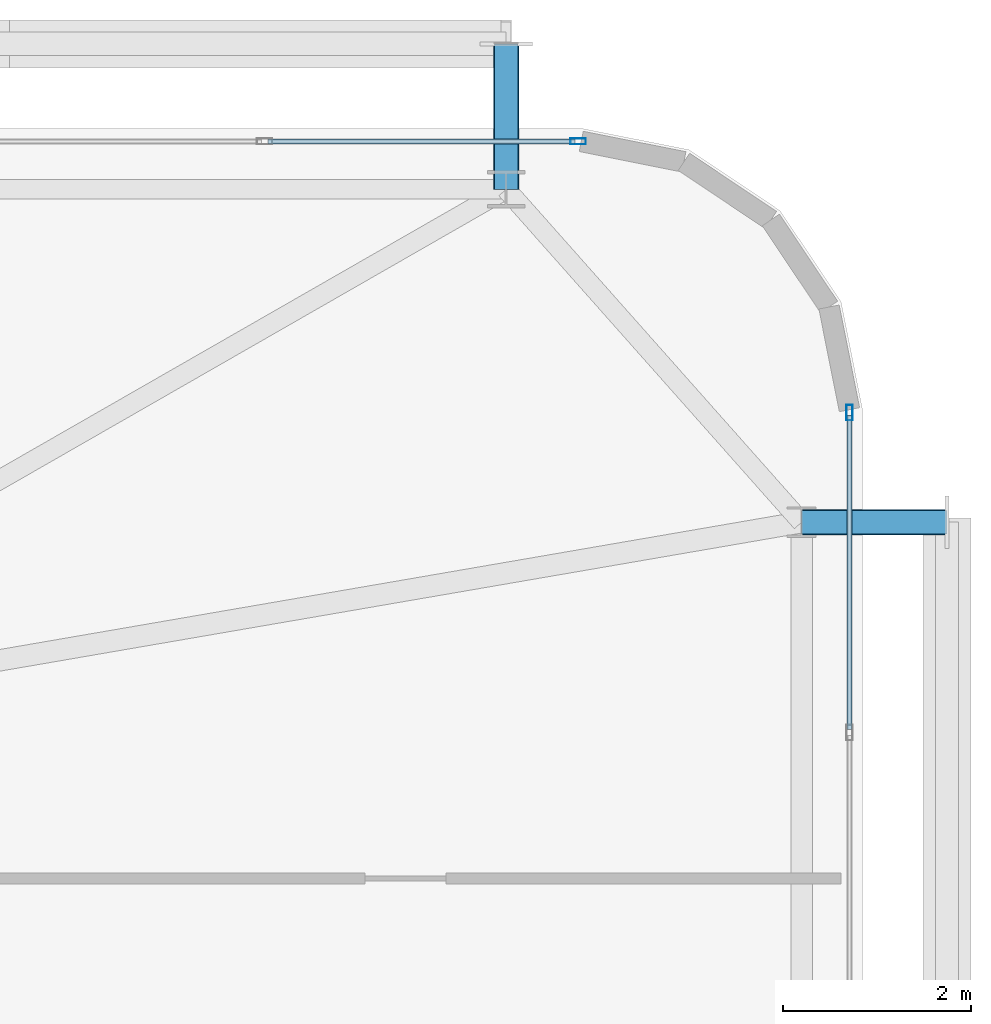
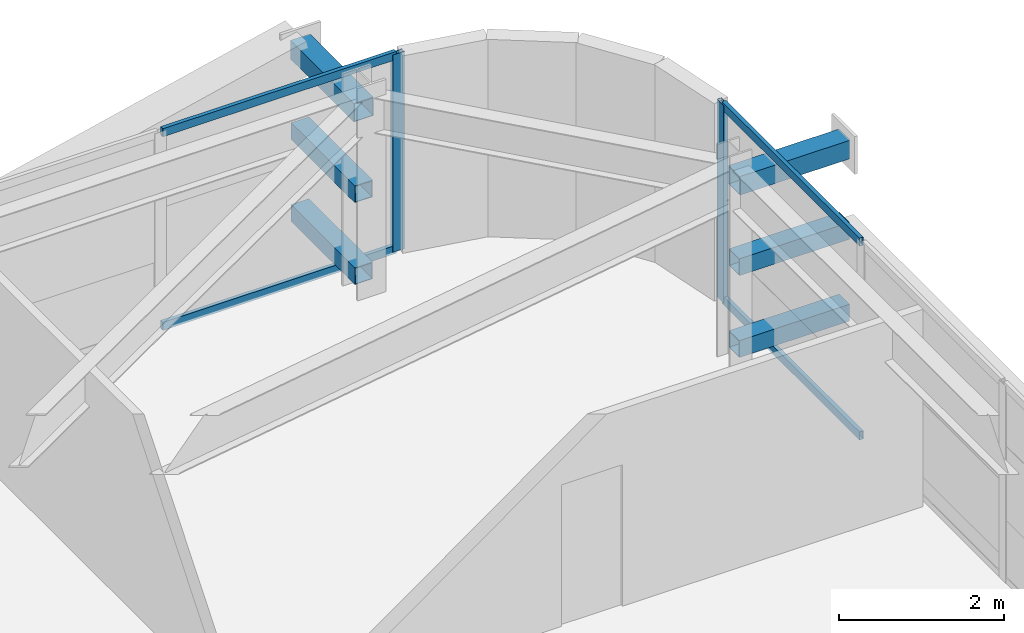
# One storey, part 41 of 58: 12 members, 2 elements without a shape of their own.
"""IFC4 building model written with IfcOpenShell, lengths in metres."""

from ifc_helpers import new_model, si_unit, direction, frame, origin, origin_2d, place, context, subcontext, project, spatial, hollow_rectangle, extrude, source, transform, mapped, material, layer, layer_set, material_profile, profile_set, type_object, element, aggregate, save


model = new_model("IFC4")

# Units and contexts
model_context = context("Model", 3, precision=1e-05, world=origin(), true_north=direction((0.0, 1.0)))
body_context = subcontext(model_context, "Body", "Model", "MODEL_VIEW")
ifc_project = project(units=[si_unit("LENGTHUNIT", "METRE"), si_unit("AREAUNIT", "SQUARE_METRE"), si_unit("VOLUMEUNIT", "CUBIC_METRE"), si_unit("PLANEANGLEUNIT", "RADIAN"), si_unit("MASSUNIT", "GRAM", prefix="KILO")], contexts=[model_context])

# Site, building, storey
site_placement = place(None, origin())
site = spatial("IfcSite", under=ifc_project, at=site_placement, CompositionType="ELEMENT")
building_placement = place(site_placement, origin())
building = spatial("IfcBuilding", under=site, at=building_placement, Name="Taldren Reach Tower", CompositionType="ELEMENT")
storey_placement = place(building_placement, frame((0.0, 0.0, 35.699951171875)))
storey = spatial("IfcBuildingStorey", under=building, at=storey_placement, Name="L10", CompositionType="ELEMENT", Elevation=35.699951171875)

# Members
ifc_material_1 = material(Name="Steel Gr 450 (C450L0)", Category="steel")
ifc_material_profile_1 = material_profile(ifc_material_1, hollow_rectangle(XDim=0.27490234375, YDim=0.27490234375, WallThickness=0.00927734375, at=origin_2d()), Name="275x275x9.3SHS")
ifc_profile_set_1 = profile_set([ifc_material_profile_1], Name="Steel Gr 450 (C450L0)")
member_type_1 = type_object("IfcMemberType", Name="MB-TIE273", PredefinedType="STRUT", material=ifc_profile_set_1)
shared_shape_1 = source(origin(), body_context, "Body", "SweptSolid", [
    extrude(hollow_rectangle(XDim=0.27490234375, YDim=0.27490234375, WallThickness=0.00927734375, at=origin_2d()), origin(), (0.0, 0.0, 1.0), 1.5498046875),
])
for number, where, z_axis, x_axis, name in (
    (1, (61.199951171875, 37.85009765625, 2.650146484375), (0.0, 1.0, 0.0), (-1.0, 0.0, 0.0), "Exoskeleton diaphragm tie strut B1-N6 L10"),
    (2, (64.35009765625, 34.300048828125, 2.650146484375), (1.0, 0.0, 0.0), (0.0, 1.0, 0.0), "Exoskeleton diaphragm tie strut B1-E3 L10"),
):
    element("IfcMember", number, at=place(storey_placement, frame(where, z_axis=z_axis, x_axis=x_axis)), inside=storey, type_object=member_type_1, Name=name, PredefinedType="STRUT", context=body_context, shape_type="MappedRepresentation", body=[
        mapped(shared_shape_1, transform((0.0, 0.0, 0.0), scale=1.0)),
    ])
ifc_material_2 = material(Name="Steel Gr 350 (C350L0)", Category="steel")
ifc_material_profile_2 = material_profile(ifc_material_2, hollow_rectangle(XDim=0.25, YDim=0.25, WallThickness=0.010009765625, at=origin_2d()), Name="250x250x10.0SHS")
ifc_profile_set_2 = profile_set([ifc_material_profile_2], Name="Steel Gr 350 (C350L0)")
member_type_2 = type_object("IfcMemberType", Name="MB-POST250", PredefinedType="POST", material=ifc_profile_set_2)
shared_shape_2 = source(origin(), body_context, "Body", "SweptSolid", [
    extrude(hollow_rectangle(XDim=0.25, YDim=0.25, WallThickness=0.010009765625, at=origin_2d()), origin(), (0.0, 0.0, 1.0), 1.5498046875),
])
for number, where, z_axis, x_axis, name in (
    (3, (61.199951171875, 37.85009765625, 0.219970703125), (0.0, 1.0, 0.0), (-1.0, 0.0, 0.0), "Exoskeleton base diaphragm tie strut B1-N6 L10"),
    (4, (64.35009765625, 34.300048828125, 0.219970703125), (1.0, 0.0, 0.0), (0.0, 1.0, 0.0), "Exoskeleton base diaphragm tie strut B1-E3 L10"),
    (5, (61.199951171875, 37.85009765625, 1.43505859375), (0.0, 1.0, 0.0), (-1.0, 0.0, 0.0), "Exoskeleton mid-tier diaphragm tie B1-N6 L10"),
    (6, (64.35009765625, 34.300048828125, 1.43505859375), (1.0, 0.0, 0.0), (0.0, 1.0, 0.0), "Exoskeleton mid-tier diaphragm tie B1-E3 L10"),
):
    element("IfcMember", number, at=place(storey_placement, frame(where, z_axis=z_axis, x_axis=x_axis)), inside=storey, type_object=member_type_2, Name=name, PredefinedType="POST", context=body_context, shape_type="MappedRepresentation", body=[
        mapped(shared_shape_2, transform((0.0, 0.0, 0.0), scale=1.0)),
    ])

# Curtain wall, member
ifc_material_3 = material(Name="Aluminium and Low-E Glass Unitised System", Category="aluminium")
ifc_layer = layer(ifc_material_3, 0.159912109375)
ifc_layer_set = layer_set([ifc_layer], Name="Aluminium and Low-E Glass Unitised System")
curtain_wall_type = type_object("IfcCurtainWallType", Name="CW-SYS-2", PredefinedType="NOTDEFINED", material=ifc_layer_set)
curtain_wall_1_placement = place(storey_placement, origin())
curtain_wall_1 = element("IfcCurtainWall", 7, at=curtain_wall_1_placement, inside=storey, type_object=curtain_wall_type, Name="Unitised curtain wall CW-L10-N", PredefinedType="NOTDEFINED")
ifc_material_4 = material(Name="Anodised Aluminium 6063-T6", Category="aluminium")
ifc_material_profile_3 = material_profile(ifc_material_4, hollow_rectangle(XDim=0.06494140625, YDim=0.1650390625, WallThickness=0.00390625, at=origin_2d()), Name="ALU-165x65x4RHS")
ifc_profile_set_3 = profile_set([ifc_material_profile_3], Name="Anodised Aluminium 6063-T6")
member_type_3 = type_object("IfcMemberType", Name="CW-MUL-165", PredefinedType="MULLION", material=ifc_profile_set_3)
shared_shape_3 = source(origin(), body_context, "Body", "SweptSolid", [
    extrude(hollow_rectangle(XDim=0.06494140625, YDim=0.1650390625, WallThickness=0.00390625, at=origin_2d()), origin(), (0.0, 0.0, 1.0), 2.929931640625),
])
member_1_placement = place(storey_placement, frame((61.967529296875, 38.360107421875, 0.0), z_axis=(0.0, 0.0, 1.0), x_axis=(0.0, -1.0, 0.0)))
member_1 = element("IfcMember", 8, at=member_1_placement, type_object=member_type_3, Name="CW-2 mullion 1", PredefinedType="MULLION", context=body_context, shape_type="MappedRepresentation", body=[
    mapped(shared_shape_3, transform((0.0, 0.0, 0.0), scale=1.0)),
])

curtain_wall_2_placement = place(storey_placement, origin())
curtain_wall_2 = element("IfcCurtainWall", 9, at=curtain_wall_2_placement, inside=storey, type_object=curtain_wall_type, Name="Unitised curtain wall CW-L10-E", PredefinedType="NOTDEFINED")
member_2_placement = place(storey_placement, frame((64.860107421875, 35.467529296875, 0.0), z_axis=(0.0, 0.0, 1.0), x_axis=(-1.0, 0.0, 0.0)))
member_2 = element("IfcMember", 10, at=member_2_placement, type_object=member_type_3, Name="CW-2 mullion 10", PredefinedType="MULLION", context=body_context, shape_type="MappedRepresentation", body=[
    mapped(shared_shape_3, transform((0.0, 0.0, 0.0), scale=1.0)),
])

# Member
ifc_material_profile_4 = material_profile(ifc_material_4, hollow_rectangle(XDim=0.054931640625, YDim=0.1201171875, WallThickness=0.0029296875, at=origin_2d()), Name="ALU-120x55x3RHS")
ifc_profile_set_4 = profile_set([ifc_material_profile_4], Name="Anodised Aluminium 6063-T6")
member_type_4 = type_object("IfcMemberType", Name="CW-TRN-135", PredefinedType="USERDEFINED", material=ifc_profile_set_4)
shared_shape_4 = source(origin(), body_context, "Body", "SweptSolid", [
    extrude(hollow_rectangle(XDim=0.054931640625, YDim=0.1201171875, WallThickness=0.0029296875, at=origin_2d()), origin(), (0.0, 0.0, 1.0), 3.277587890625),
])
member_3_placement = place(storey_placement, frame((61.93505859375, 38.360107421875, 0.027587890625), z_axis=(-1.0, 0.0, 0.0), x_axis=(0.0, -1.0, 0.0)))
member_3 = element("IfcMember", 11, at=member_3_placement, type_object=member_type_4, Name="CW-2 transom 1.1", ObjectType="TRANSOM", PredefinedType="USERDEFINED", context=body_context, shape_type="MappedRepresentation", body=[
    mapped(shared_shape_4, transform((0.0, 0.0, 0.0), scale=1.0)),
])

member_4_placement = place(storey_placement, frame((61.93505859375, 38.360107421875, 2.902587890625), z_axis=(-1.0, 0.0, 0.0), x_axis=(0.0, -1.0, 0.0)))
member_4 = element("IfcMember", 12, at=member_4_placement, type_object=member_type_4, Name="CW-2 transom 1.2", ObjectType="TRANSOM", PredefinedType="USERDEFINED", context=body_context, shape_type="MappedRepresentation", body=[
    mapped(shared_shape_4, transform((0.0, 0.0, 0.0), scale=1.0)),
])

aggregate(curtain_wall_1, [member_1, member_3, member_4])

shared_shape_5 = source(origin(), body_context, "Body", "SweptSolid", [
    extrude(hollow_rectangle(XDim=0.054931640625, YDim=0.1201171875, WallThickness=0.0029296875, at=origin_2d()), origin(), (0.0, 0.0, 1.0), 3.346923828125),
])
member_5_placement = place(storey_placement, frame((64.860107421875, 32.088134765625, 0.027587890625), z_axis=(0.0, 1.0, 0.0), x_axis=(-1.0, 0.0, 0.0)))
member_5 = element("IfcMember", 13, at=member_5_placement, type_object=member_type_4, Name="CW-2 transom 9.1", ObjectType="TRANSOM", PredefinedType="USERDEFINED", context=body_context, shape_type="MappedRepresentation", body=[
    mapped(shared_shape_5, transform((0.0, 0.0, 0.0), scale=1.0)),
])

member_6_placement = place(storey_placement, frame((64.860107421875, 32.088134765625, 2.902587890625), z_axis=(0.0, 1.0, 0.0), x_axis=(-1.0, 0.0, 0.0)))
member_6 = element("IfcMember", 14, at=member_6_placement, type_object=member_type_4, Name="CW-2 transom 9.2", ObjectType="TRANSOM", PredefinedType="USERDEFINED", context=body_context, shape_type="MappedRepresentation", body=[
    mapped(shared_shape_5, transform((0.0, 0.0, 0.0), scale=1.0)),
])

aggregate(curtain_wall_2, [member_2, member_5, member_6])

save(model, "model.ifc")
